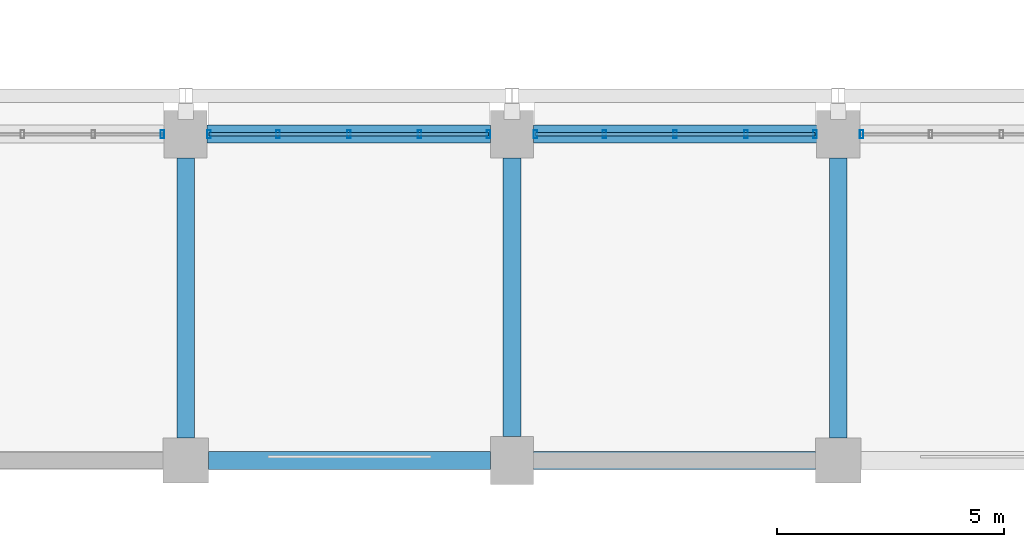
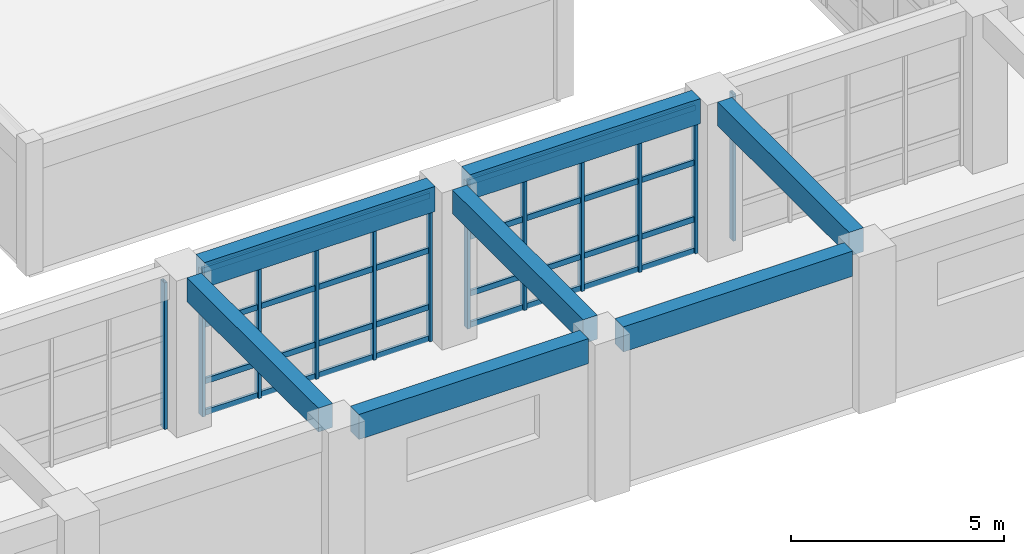
# One storey, part 89 of 171: 20 members, 7 beams, 4 elements without a shape of their own.
"""IFC4 building model written with IfcOpenShell, lengths in metres."""

from ifc_helpers import new_model, si_unit, direction, frame, origin, origin_2d, place, context, subcontext, project, spatial, rectangle, hollow_rectangle, extrude, material, material_profile, profile_set, type_object, element, aggregate, save


model = new_model("IFC4")

# Units and contexts
model_context = context("Model", 3, precision=1e-05, world=origin(), true_north=direction((0.0, 1.0)))
body_context = subcontext(model_context, "Body", "Model", "MODEL_VIEW")
ifc_project = project(units=[si_unit("LENGTHUNIT", "METRE"), si_unit("AREAUNIT", "SQUARE_METRE"), si_unit("VOLUMEUNIT", "CUBIC_METRE"), si_unit("PLANEANGLEUNIT", "RADIAN"), si_unit("MASSUNIT", "GRAM", prefix="KILO")], contexts=[model_context])

# Site, building, storey
site_placement = place(None, origin())
site = spatial("IfcSite", under=ifc_project, at=site_placement, CompositionType="ELEMENT")
building_placement = place(site_placement, origin())
building = spatial("IfcBuilding", under=site, at=building_placement, Name="Thalmaran Polytechnic", CompositionType="ELEMENT")
storey_placement = place(building_placement, frame((0.0, 0.0, 5.39990234375)))
storey = spatial("IfcBuildingStorey", under=building, at=storey_placement, Name="L01", CompositionType="ELEMENT", Elevation=5.39990234375)

# Beams
ifc_material_1 = material(Name="Concrete C40/50", Category="concrete")
ifc_material_profile_1 = material_profile(ifc_material_1, rectangle(XDim=0.389892578125, YDim=0.68505859375, at=origin_2d()), Name="RC 390x685")
ifc_profile_set_1 = profile_set([ifc_material_profile_1], Name="Concrete C40/50")
beam_type_1 = type_object("IfcBeamType", Name="BM-RC08", PredefinedType="BEAM", material=ifc_profile_set_1)
beam_1_placement = place(storey_placement, frame((144.0, 0.5, 4.15771484375), z_axis=(0.0, 1.0, 0.0), x_axis=(-1.0, 0.0, 0.0)))
element("IfcBeam", 1, at=beam_1_placement, inside=storey, type_object=beam_type_1, Name="Grid Beam B08 L01 Y(20,0)", PredefinedType="BEAM", context=body_context, shape_type="SweptSolid", body=[
    extrude(rectangle(XDim=0.389892578125, YDim=0.68505859375, at=origin_2d()), origin(), (0.0, 0.0, 1.0), 6.175048828125),
])
beam_2_placement = place(storey_placement, frame((151.199951171875, 0.52490234375, 4.15771484375), z_axis=(0.0, 1.0, 0.0), x_axis=(-1.0, 0.0, 0.0)))
element("IfcBeam", 2, at=beam_2_placement, inside=storey, type_object=beam_type_1, Name="Grid Beam B08 L01 Y(21,0)", PredefinedType="BEAM", context=body_context, shape_type="SweptSolid", body=[
    extrude(rectangle(XDim=0.389892578125, YDim=0.68505859375, at=origin_2d()), origin(), (0.0, 0.0, 1.0), 6.150146484375),
])
beam_3_placement = place(storey_placement, frame((158.39990234375, 0.5, 4.15771484375), z_axis=(0.0, 1.0, 0.0), x_axis=(-1.0, 0.0, 0.0)))
element("IfcBeam", 3, at=beam_3_placement, inside=storey, type_object=beam_type_1, Name="Grid Beam B08 L01 Y(22,0)", PredefinedType="BEAM", context=body_context, shape_type="SweptSolid", body=[
    extrude(rectangle(XDim=0.389892578125, YDim=0.68505859375, at=origin_2d()), origin(), (0.0, 0.0, 1.0), 6.175048828125),
])
ifc_material_profile_2 = material_profile(ifc_material_1, rectangle(XDim=0.39990234375, YDim=0.719970703125, at=origin_2d()), Name="RC 400x720")
ifc_profile_set_2 = profile_set([ifc_material_profile_2], Name="Concrete C40/50")
beam_type_2 = type_object("IfcBeamType", Name="BM-SP01", PredefinedType="SPANDREL", material=ifc_profile_set_2)
beam_4_placement = place(storey_placement, frame((144.5, 0.0, 4.14013671875), z_axis=(1.0, 0.0, 0.0), x_axis=(0.0, 1.0, 0.0)))
element("IfcBeam", 4, at=beam_4_placement, inside=storey, type_object=beam_type_2, Name="Grid Beam SP01 L01 X(20,0)", PredefinedType="SPANDREL", context=body_context, shape_type="SweptSolid", body=[
    extrude(rectangle(XDim=0.39990234375, YDim=0.719970703125, at=origin_2d()), origin(), (0.0, 0.0, 1.0), 6.22509765625),
])
beam_5_placement = place(storey_placement, frame((144.47509765625, 7.199951171875, 4.14013671875), z_axis=(1.0, 0.0, 0.0), x_axis=(0.0, 1.0, 0.0)))
element("IfcBeam", 5, at=beam_5_placement, inside=storey, type_object=beam_type_2, Name="Grid Beam SP01 L01 X(20,1)", PredefinedType="SPANDREL", context=body_context, shape_type="SweptSolid", body=[
    extrude(rectangle(XDim=0.39990234375, YDim=0.719970703125, at=origin_2d()), origin(), (0.0, 0.0, 1.0), 6.25),
])
beam_6_placement = place(storey_placement, frame((151.675048828125, 0.0, 4.14013671875), z_axis=(1.0, 0.0, 0.0), x_axis=(0.0, 1.0, 0.0)))
element("IfcBeam", 6, at=beam_6_placement, inside=storey, type_object=beam_type_2, Name="Grid Beam SP01 L01 X(21,0)", PredefinedType="SPANDREL", context=body_context, shape_type="SweptSolid", body=[
    extrude(rectangle(XDim=0.39990234375, YDim=0.719970703125, at=origin_2d()), origin(), (0.0, 0.0, 1.0), 6.224853515625),
])
beam_7_placement = place(storey_placement, frame((151.675048828125, 7.199951171875, 4.14013671875), z_axis=(1.0, 0.0, 0.0), x_axis=(0.0, 1.0, 0.0)))
element("IfcBeam", 7, at=beam_7_placement, inside=storey, type_object=beam_type_2, Name="Grid Beam SP01 L01 X(21,1)", PredefinedType="SPANDREL", context=body_context, shape_type="SweptSolid", body=[
    extrude(rectangle(XDim=0.39990234375, YDim=0.719970703125, at=origin_2d()), origin(), (0.0, 0.0, 1.0), 6.25),
])

# Curtain wall, member
ifc_material_2 = material(Name="Aluminium 6063-T6", Category="aluminium")
curtain_wall_type = type_object("IfcCurtainWallType", Name="CW-UC02", PredefinedType="USERDEFINED", material=ifc_material_2)
curtain_wall_1_placement = place(storey_placement, origin())
curtain_wall_1 = element("IfcCurtainWall", 8, at=curtain_wall_1_placement, inside=storey, type_object=curtain_wall_type, Name="Curtain Wall CW-L01-114", ObjectType="UNITISED CURTAIN WALL", PredefinedType="USERDEFINED")
ifc_material_profile_3 = material_profile(ifc_material_2, hollow_rectangle(XDim=0.080078125, YDim=0.179931640625, WallThickness=0.0048828125, at=origin_2d()), Name="RHS 180x80x5.0")
ifc_profile_set_3 = profile_set([ifc_material_profile_3], Name="Aluminium 6063-T6")
member_type_1 = type_object("IfcMemberType", Name="CW-MUL1", PredefinedType="MULLION", material=ifc_profile_set_3)
member_1_placement = place(storey_placement, frame((143.485107421875, 7.199951171875, 0.0), z_axis=(0.0, 0.0, 1.0), x_axis=(1.0, 0.0, 0.0)))
member_1 = element("IfcMember", 9, at=member_1_placement, type_object=member_type_1, Name="CW-L01-114 Mullion 5", PredefinedType="MULLION", context=body_context, shape_type="SweptSolid", body=[
    extrude(hollow_rectangle(XDim=0.080078125, YDim=0.179931640625, WallThickness=0.0048828125, at=origin_2d()), origin(), (0.0, 0.0, 1.0), 4.210205078125),
])
aggregate(curtain_wall_1, [member_1])

# Curtain wall, members
curtain_wall_2_placement = place(storey_placement, origin())
curtain_wall_2 = element("IfcCurtainWall", 10, at=curtain_wall_2_placement, inside=storey, type_object=curtain_wall_type, Name="Curtain Wall CW-L01-115", ObjectType="UNITISED CURTAIN WALL", PredefinedType="USERDEFINED")
member_2_placement = place(storey_placement, frame((144.514892578125, 7.199951171875, 0.0), z_axis=(0.0, 0.0, 1.0), x_axis=(1.0, 0.0, 0.0)))
member_2 = element("IfcMember", 11, at=member_2_placement, type_object=member_type_1, Name="CW-L01-115 Mullion 1", PredefinedType="MULLION", context=body_context, shape_type="SweptSolid", body=[
    extrude(hollow_rectangle(XDim=0.080078125, YDim=0.179931640625, WallThickness=0.0048828125, at=origin_2d()), origin(), (0.0, 0.0, 1.0), 4.210205078125),
])
member_3_placement = place(storey_placement, frame((146.03759765625, 7.199951171875, 0.0), z_axis=(0.0, 0.0, 1.0), x_axis=(1.0, 0.0, 0.0)))
member_3 = element("IfcMember", 12, at=member_3_placement, type_object=member_type_1, Name="CW-L01-115 Mullion 2", PredefinedType="MULLION", context=body_context, shape_type="SweptSolid", body=[
    extrude(hollow_rectangle(XDim=0.080078125, YDim=0.179931640625, WallThickness=0.0048828125, at=origin_2d()), origin(), (0.0, 0.0, 1.0), 4.210205078125),
])
member_4_placement = place(storey_placement, frame((147.60009765625, 7.199951171875, 0.0), z_axis=(0.0, 0.0, 1.0), x_axis=(1.0, 0.0, 0.0)))
member_4 = element("IfcMember", 13, at=member_4_placement, type_object=member_type_1, Name="CW-L01-115 Mullion 3", PredefinedType="MULLION", context=body_context, shape_type="SweptSolid", body=[
    extrude(hollow_rectangle(XDim=0.080078125, YDim=0.179931640625, WallThickness=0.0048828125, at=origin_2d()), origin(), (0.0, 0.0, 1.0), 4.210205078125),
])
member_5_placement = place(storey_placement, frame((149.16259765625, 7.199951171875, 0.0), z_axis=(0.0, 0.0, 1.0), x_axis=(1.0, 0.0, 0.0)))
member_5 = element("IfcMember", 14, at=member_5_placement, type_object=member_type_1, Name="CW-L01-115 Mullion 4", PredefinedType="MULLION", context=body_context, shape_type="SweptSolid", body=[
    extrude(hollow_rectangle(XDim=0.080078125, YDim=0.179931640625, WallThickness=0.0048828125, at=origin_2d()), origin(), (0.0, 0.0, 1.0), 4.210205078125),
])
member_6_placement = place(storey_placement, frame((150.68505859375, 7.199951171875, 0.0), z_axis=(0.0, 0.0, 1.0), x_axis=(1.0, 0.0, 0.0)))
member_6 = element("IfcMember", 15, at=member_6_placement, type_object=member_type_1, Name="CW-L01-115 Mullion 5", PredefinedType="MULLION", context=body_context, shape_type="SweptSolid", body=[
    extrude(hollow_rectangle(XDim=0.080078125, YDim=0.179931640625, WallThickness=0.0048828125, at=origin_2d()), origin(), (0.0, 0.0, 1.0), 4.210205078125),
])

curtain_wall_3_placement = place(storey_placement, origin())
curtain_wall_3 = element("IfcCurtainWall", 16, at=curtain_wall_3_placement, inside=storey, type_object=curtain_wall_type, Name="Curtain Wall CW-L01-116", ObjectType="UNITISED CURTAIN WALL", PredefinedType="USERDEFINED")
member_7_placement = place(storey_placement, frame((151.715087890625, 7.199951171875, 0.0), z_axis=(0.0, 0.0, 1.0), x_axis=(1.0, 0.0, 0.0)))
member_7 = element("IfcMember", 17, at=member_7_placement, type_object=member_type_1, Name="CW-L01-116 Mullion 1", PredefinedType="MULLION", context=body_context, shape_type="SweptSolid", body=[
    extrude(hollow_rectangle(XDim=0.080078125, YDim=0.179931640625, WallThickness=0.0048828125, at=origin_2d()), origin(), (0.0, 0.0, 1.0), 4.210205078125),
])
member_8_placement = place(storey_placement, frame((153.237548828125, 7.199951171875, 0.0), z_axis=(0.0, 0.0, 1.0), x_axis=(1.0, 0.0, 0.0)))
member_8 = element("IfcMember", 18, at=member_8_placement, type_object=member_type_1, Name="CW-L01-116 Mullion 2", PredefinedType="MULLION", context=body_context, shape_type="SweptSolid", body=[
    extrude(hollow_rectangle(XDim=0.080078125, YDim=0.179931640625, WallThickness=0.0048828125, at=origin_2d()), origin(), (0.0, 0.0, 1.0), 4.210205078125),
])
member_9_placement = place(storey_placement, frame((154.800048828125, 7.199951171875, 0.0), z_axis=(0.0, 0.0, 1.0), x_axis=(1.0, 0.0, 0.0)))
member_9 = element("IfcMember", 19, at=member_9_placement, type_object=member_type_1, Name="CW-L01-116 Mullion 3", PredefinedType="MULLION", context=body_context, shape_type="SweptSolid", body=[
    extrude(hollow_rectangle(XDim=0.080078125, YDim=0.179931640625, WallThickness=0.0048828125, at=origin_2d()), origin(), (0.0, 0.0, 1.0), 4.210205078125),
])
member_10_placement = place(storey_placement, frame((156.362548828125, 7.199951171875, 0.0), z_axis=(0.0, 0.0, 1.0), x_axis=(1.0, 0.0, 0.0)))
member_10 = element("IfcMember", 20, at=member_10_placement, type_object=member_type_1, Name="CW-L01-116 Mullion 4", PredefinedType="MULLION", context=body_context, shape_type="SweptSolid", body=[
    extrude(hollow_rectangle(XDim=0.080078125, YDim=0.179931640625, WallThickness=0.0048828125, at=origin_2d()), origin(), (0.0, 0.0, 1.0), 4.210205078125),
])
member_11_placement = place(storey_placement, frame((157.885009765625, 7.199951171875, 0.0), z_axis=(0.0, 0.0, 1.0), x_axis=(1.0, 0.0, 0.0)))
member_11 = element("IfcMember", 21, at=member_11_placement, type_object=member_type_1, Name="CW-L01-116 Mullion 5", PredefinedType="MULLION", context=body_context, shape_type="SweptSolid", body=[
    extrude(hollow_rectangle(XDim=0.080078125, YDim=0.179931640625, WallThickness=0.0048828125, at=origin_2d()), origin(), (0.0, 0.0, 1.0), 4.210205078125),
])

# Curtain wall, member
curtain_wall_4_placement = place(storey_placement, origin())
curtain_wall_4 = element("IfcCurtainWall", 22, at=curtain_wall_4_placement, inside=storey, type_object=curtain_wall_type, Name="Curtain Wall CW-L01-117", ObjectType="UNITISED CURTAIN WALL", PredefinedType="USERDEFINED")
member_12_placement = place(storey_placement, frame((158.9150390625, 7.199951171875, 0.0), z_axis=(0.0, 0.0, 1.0), x_axis=(1.0, 0.0, 0.0)))
member_12 = element("IfcMember", 23, at=member_12_placement, type_object=member_type_1, Name="CW-L01-117 Mullion 1", PredefinedType="MULLION", context=body_context, shape_type="SweptSolid", body=[
    extrude(hollow_rectangle(XDim=0.080078125, YDim=0.179931640625, WallThickness=0.0048828125, at=origin_2d()), origin(), (0.0, 0.0, 1.0), 4.210205078125),
])
aggregate(curtain_wall_4, [member_12])

# Member
ifc_material_profile_4 = material_profile(ifc_material_2, hollow_rectangle(XDim=0.070068359375, YDim=0.159912109375, WallThickness=0.00390625, at=origin_2d()), Name="AL 160x70x4.0")
ifc_profile_set_4 = profile_set([ifc_material_profile_4], Name="Aluminium 6063-T6")
member_type_2 = type_object("IfcMemberType", Name="CW-TRN1", PredefinedType="USERDEFINED", material=ifc_profile_set_4)
member_13_placement = place(storey_placement, frame((144.514892578125, 7.199951171875, 0.06005859375), z_axis=(1.0, 0.0, 0.0), x_axis=(0.0, 1.0, 0.0)))
member_13 = element("IfcMember", 24, at=member_13_placement, type_object=member_type_2, Name="CW-L01-115 Transom 1", ObjectType="TRANSOM", PredefinedType="USERDEFINED", context=body_context, shape_type="SweptSolid", body=[
    extrude(hollow_rectangle(XDim=0.070068359375, YDim=0.159912109375, WallThickness=0.00390625, at=origin_2d()), origin(), (0.0, 0.0, 1.0), 6.170166015625),
])

member_14_placement = place(storey_placement, frame((144.514892578125, 7.199951171875, 0.960205078125), z_axis=(1.0, 0.0, 0.0), x_axis=(0.0, 1.0, 0.0)))
member_14 = element("IfcMember", 25, at=member_14_placement, type_object=member_type_2, Name="CW-L01-115 Transom 2", ObjectType="TRANSOM", PredefinedType="USERDEFINED", context=body_context, shape_type="SweptSolid", body=[
    extrude(hollow_rectangle(XDim=0.070068359375, YDim=0.159912109375, WallThickness=0.00390625, at=origin_2d()), origin(), (0.0, 0.0, 1.0), 6.170166015625),
])

member_15_placement = place(storey_placement, frame((144.514892578125, 7.199951171875, 2.585205078125), z_axis=(1.0, 0.0, 0.0), x_axis=(0.0, 1.0, 0.0)))
member_15 = element("IfcMember", 26, at=member_15_placement, type_object=member_type_2, Name="CW-L01-115 Transom 3", ObjectType="TRANSOM", PredefinedType="USERDEFINED", context=body_context, shape_type="SweptSolid", body=[
    extrude(hollow_rectangle(XDim=0.070068359375, YDim=0.159912109375, WallThickness=0.00390625, at=origin_2d()), origin(), (0.0, 0.0, 1.0), 6.170166015625),
])

member_16_placement = place(storey_placement, frame((144.514892578125, 7.199951171875, 4.150146484375), z_axis=(1.0, 0.0, 0.0), x_axis=(0.0, 1.0, 0.0)))
member_16 = element("IfcMember", 27, at=member_16_placement, type_object=member_type_2, Name="CW-L01-115 Transom 4", ObjectType="TRANSOM", PredefinedType="USERDEFINED", context=body_context, shape_type="SweptSolid", body=[
    extrude(hollow_rectangle(XDim=0.070068359375, YDim=0.159912109375, WallThickness=0.00390625, at=origin_2d()), origin(), (0.0, 0.0, 1.0), 6.170166015625),
])

aggregate(curtain_wall_2, [member_2, member_3, member_4, member_5, member_6, member_13, member_14, member_15, member_16])

member_17_placement = place(storey_placement, frame((151.715087890625, 7.199951171875, 0.06005859375), z_axis=(1.0, 0.0, 0.0), x_axis=(0.0, 1.0, 0.0)))
member_17 = element("IfcMember", 28, at=member_17_placement, type_object=member_type_2, Name="CW-L01-116 Transom 1", ObjectType="TRANSOM", PredefinedType="USERDEFINED", context=body_context, shape_type="SweptSolid", body=[
    extrude(hollow_rectangle(XDim=0.070068359375, YDim=0.159912109375, WallThickness=0.00390625, at=origin_2d()), origin(), (0.0, 0.0, 1.0), 6.169921875),
])

member_18_placement = place(storey_placement, frame((151.715087890625, 7.199951171875, 0.960205078125), z_axis=(1.0, 0.0, 0.0), x_axis=(0.0, 1.0, 0.0)))
member_18 = element("IfcMember", 29, at=member_18_placement, type_object=member_type_2, Name="CW-L01-116 Transom 2", ObjectType="TRANSOM", PredefinedType="USERDEFINED", context=body_context, shape_type="SweptSolid", body=[
    extrude(hollow_rectangle(XDim=0.070068359375, YDim=0.159912109375, WallThickness=0.00390625, at=origin_2d()), origin(), (0.0, 0.0, 1.0), 6.169921875),
])

member_19_placement = place(storey_placement, frame((151.715087890625, 7.199951171875, 2.585205078125), z_axis=(1.0, 0.0, 0.0), x_axis=(0.0, 1.0, 0.0)))
member_19 = element("IfcMember", 30, at=member_19_placement, type_object=member_type_2, Name="CW-L01-116 Transom 3", ObjectType="TRANSOM", PredefinedType="USERDEFINED", context=body_context, shape_type="SweptSolid", body=[
    extrude(hollow_rectangle(XDim=0.070068359375, YDim=0.159912109375, WallThickness=0.00390625, at=origin_2d()), origin(), (0.0, 0.0, 1.0), 6.169921875),
])

member_20_placement = place(storey_placement, frame((151.715087890625, 7.199951171875, 4.150146484375), z_axis=(1.0, 0.0, 0.0), x_axis=(0.0, 1.0, 0.0)))
member_20 = element("IfcMember", 31, at=member_20_placement, type_object=member_type_2, Name="CW-L01-116 Transom 4", ObjectType="TRANSOM", PredefinedType="USERDEFINED", context=body_context, shape_type="SweptSolid", body=[
    extrude(hollow_rectangle(XDim=0.070068359375, YDim=0.159912109375, WallThickness=0.00390625, at=origin_2d()), origin(), (0.0, 0.0, 1.0), 6.169921875),
])

aggregate(curtain_wall_3, [member_7, member_8, member_9, member_10, member_11, member_17, member_18, member_19, member_20])

save(model, "model.ifc")
